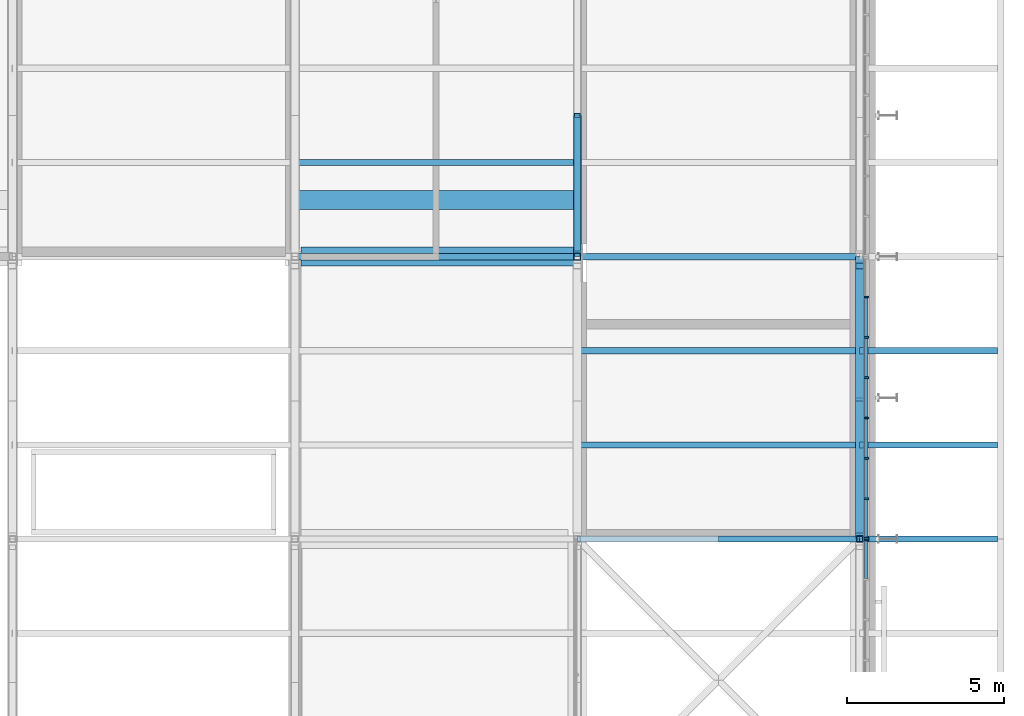
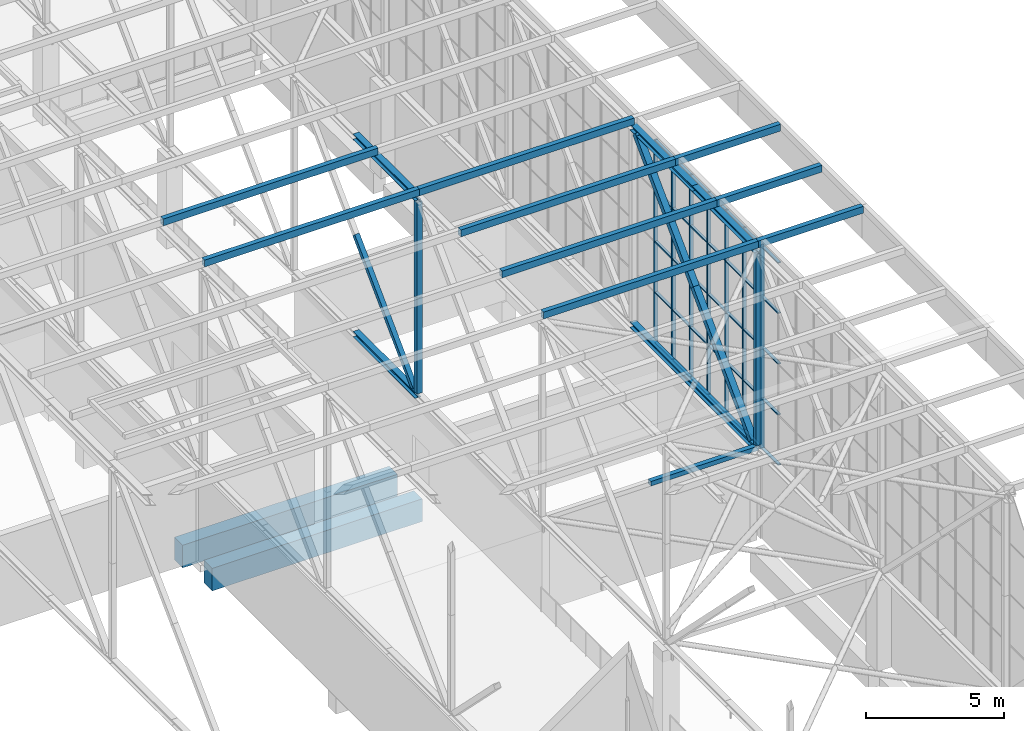
# One storey, part 102 of 646: 66 members, 2 beams, 2 elements without a shape of their own.
"""IFC4 building model written with IfcOpenShell, lengths in metres."""

from ifc_helpers import new_model, si_unit, direction, frame, origin, origin_2d, place, context, subcontext, project, spatial, rectangle, hollow_rectangle, i_section, extrude, material, material_profile, profile_set, type_object, element, aggregate, save


model = new_model("IFC4")

# Units and contexts
model_context = context("Model", 3, precision=1e-05, world=origin(), true_north=direction((0.0, 1.0)))
body_context = subcontext(model_context, "Body", "Model", "MODEL_VIEW")
ifc_project = project(units=[si_unit("LENGTHUNIT", "METRE"), si_unit("AREAUNIT", "SQUARE_METRE"), si_unit("VOLUMEUNIT", "CUBIC_METRE"), si_unit("PLANEANGLEUNIT", "RADIAN"), si_unit("MASSUNIT", "GRAM", prefix="KILO")], contexts=[model_context])

# Site, building, storey
site_placement = place(None, origin())
site = spatial("IfcSite", under=ifc_project, at=site_placement, CompositionType="ELEMENT")
building_placement = place(site_placement, origin())
building = spatial("IfcBuilding", under=site, at=building_placement, Name="Silverbay Arena", CompositionType="ELEMENT")
storey_placement = place(building_placement, frame((0.0, 0.0, 33.5)))
storey = spatial("IfcBuildingStorey", under=building, at=storey_placement, Name="L05", CompositionType="ELEMENT", Elevation=33.5)

# Member
ifc_material_1 = material(Name="Steel S355", Category="steel")
ifc_material_profile_1 = material_profile(ifc_material_1, hollow_rectangle(XDim=0.199951171875, YDim=0.199951171875, WallThickness=0.008056640625, at=origin_2d()), Name="SHS 200x200x8")
ifc_profile_set_1 = profile_set([ifc_material_profile_1], Name="Steel S355")
member_type_1 = type_object("IfcMemberType", Name="Bracing strut SHS 200x200x8", PredefinedType="STRUT", material=ifc_profile_set_1)
member_1_placement = place(storey_placement, frame((202.5, 90.0, 4.126953125), z_axis=(1.0, 0.0, 0.0), x_axis=(0.0, 1.0, 0.0)))
element("IfcMember", 1, at=member_1_placement, inside=storey, type_object=member_type_1, Name="ROOF BRACING strut 23-24 line 10b", PredefinedType="STRUT", context=body_context, shape_type="SweptSolid", body=[
    extrude(hollow_rectangle(XDim=0.199951171875, YDim=0.199951171875, WallThickness=0.008056640625, at=origin_2d()), origin(), (0.0, 0.0, 1.0), 4.5),
])

# Curtain wall, member
ifc_material_2 = material(Name="Aluminium framed glazing", Category="aluminium")
curtain_wall_type = type_object("IfcCurtainWallType", Name="Curtain wall clerestory 9000 x 9000", PredefinedType="NOTDEFINED", material=ifc_material_2)
curtain_wall_1_placement = place(storey_placement, origin())
curtain_wall_1 = element("IfcCurtainWall", 2, at=curtain_wall_1_placement, inside=storey, type_object=curtain_wall_type, Name="ROOF GABLE CLERESTORY CURTAIN WALL east bay 09", PredefinedType="NOTDEFINED")
ifc_material_3 = material(Name="Aluminium", Category="aluminium")
ifc_material_profile_2 = material_profile(ifc_material_3, rectangle(XDim=0.159912109375, YDim=0.06005859375, at=origin_2d()), Name="Mullion 60 x 160")
ifc_profile_set_2 = profile_set([ifc_material_profile_2], Name="Aluminium")
member_type_2 = type_object("IfcMemberType", Name="Mullion 60 x 160", PredefinedType="MULLION", material=ifc_profile_set_2)
member_2_placement = place(storey_placement, frame((207.2099609375, 89.969970703125, 4.0), z_axis=(0.0, 0.0, 1.0), x_axis=(-1.0, 0.0, 0.0)))
member_2 = element("IfcMember", 3, at=member_2_placement, type_object=member_type_2, Name="CW60 mullion 8", PredefinedType="MULLION", context=body_context, shape_type="SweptSolid", body=[
    extrude(rectangle(XDim=0.159912109375, YDim=0.06005859375, at=origin_2d()), origin(), (0.0, 0.0, 1.0), 9.0),
])

# Curtain wall, members
curtain_wall_2_placement = place(storey_placement, origin())
curtain_wall_2 = element("IfcCurtainWall", 4, at=curtain_wall_2_placement, inside=storey, type_object=curtain_wall_type, Name="ROOF GABLE CLERESTORY CURTAIN WALL east bay 10", PredefinedType="NOTDEFINED")
member_3_placement = place(storey_placement, frame((207.2099609375, 90.030029296875, 4.0), z_axis=(0.0, 0.0, 1.0), x_axis=(-1.0, 0.0, 0.0)))
member_3 = element("IfcMember", 5, at=member_3_placement, type_object=member_type_2, Name="CW60 mullion 1", PredefinedType="MULLION", context=body_context, shape_type="SweptSolid", body=[
    extrude(rectangle(XDim=0.159912109375, YDim=0.06005859375, at=origin_2d()), origin(), (0.0, 0.0, 1.0), 9.0),
])
member_4_placement = place(storey_placement, frame((207.2099609375, 91.28564453125, 4.0), z_axis=(0.0, 0.0, 1.0), x_axis=(-1.0, 0.0, 0.0)))
member_4 = element("IfcMember", 6, at=member_4_placement, type_object=member_type_2, Name="CW60 mullion 2", PredefinedType="MULLION", context=body_context, shape_type="SweptSolid", body=[
    extrude(rectangle(XDim=0.159912109375, YDim=0.06005859375, at=origin_2d()), origin(), (0.0, 0.0, 1.0), 9.0),
])
member_5_placement = place(storey_placement, frame((207.2099609375, 92.571533203125, 4.0), z_axis=(0.0, 0.0, 1.0), x_axis=(-1.0, 0.0, 0.0)))
member_5 = element("IfcMember", 7, at=member_5_placement, type_object=member_type_2, Name="CW60 mullion 3", PredefinedType="MULLION", context=body_context, shape_type="SweptSolid", body=[
    extrude(rectangle(XDim=0.159912109375, YDim=0.06005859375, at=origin_2d()), origin(), (0.0, 0.0, 1.0), 9.0),
])
member_6_placement = place(storey_placement, frame((207.2099609375, 93.857177734375, 4.0), z_axis=(0.0, 0.0, 1.0), x_axis=(-1.0, 0.0, 0.0)))
member_6 = element("IfcMember", 8, at=member_6_placement, type_object=member_type_2, Name="CW60 mullion 4", PredefinedType="MULLION", context=body_context, shape_type="SweptSolid", body=[
    extrude(rectangle(XDim=0.159912109375, YDim=0.06005859375, at=origin_2d()), origin(), (0.0, 0.0, 1.0), 9.0),
])
member_7_placement = place(storey_placement, frame((207.2099609375, 95.142822265625, 4.0), z_axis=(0.0, 0.0, 1.0), x_axis=(-1.0, 0.0, 0.0)))
member_7 = element("IfcMember", 9, at=member_7_placement, type_object=member_type_2, Name="CW60 mullion 5", PredefinedType="MULLION", context=body_context, shape_type="SweptSolid", body=[
    extrude(rectangle(XDim=0.159912109375, YDim=0.06005859375, at=origin_2d()), origin(), (0.0, 0.0, 1.0), 9.0),
])
member_8_placement = place(storey_placement, frame((207.2099609375, 96.428466796875, 4.0), z_axis=(0.0, 0.0, 1.0), x_axis=(-1.0, 0.0, 0.0)))
member_8 = element("IfcMember", 10, at=member_8_placement, type_object=member_type_2, Name="CW60 mullion 6", PredefinedType="MULLION", context=body_context, shape_type="SweptSolid", body=[
    extrude(rectangle(XDim=0.159912109375, YDim=0.06005859375, at=origin_2d()), origin(), (0.0, 0.0, 1.0), 9.0),
])
member_9_placement = place(storey_placement, frame((207.2099609375, 97.71435546875, 4.0), z_axis=(0.0, 0.0, 1.0), x_axis=(-1.0, 0.0, 0.0)))
member_9 = element("IfcMember", 11, at=member_9_placement, type_object=member_type_2, Name="CW60 mullion 7", PredefinedType="MULLION", context=body_context, shape_type="SweptSolid", body=[
    extrude(rectangle(XDim=0.159912109375, YDim=0.06005859375, at=origin_2d()), origin(), (0.0, 0.0, 1.0), 9.0),
])

# Members
ifc_material_4 = material(Name="Steel S355", Category="steel")
ifc_material_profile_3 = material_profile(ifc_material_4, hollow_rectangle(XDim=0.199951171875, YDim=0.300048828125, WallThickness=0.00634765625, at=origin_2d()), Name="RHS 300x200x6.3")
ifc_profile_set_3 = profile_set([ifc_material_profile_3], Name="Steel S355")
member_type_3 = type_object("IfcMemberType", Name="Purlin RHS 300x200x6.3", PredefinedType="PURLIN", material=ifc_profile_set_3)
for number, where, z_axis, x_axis, name in (
    (12, (189.0, 99.0, 13.14990234375), (1.0, 0.0, 0.0), (0.0, 1.0, 0.0), "ROOF PURLIN 22-23 line 31"),
    (13, (189.0, 102.0, 13.14990234375), (1.0, 0.0, 0.0), (0.0, 1.0, 0.0), "ROOF PURLIN 22-23 line 32"),
):
    element("IfcMember", number, at=place(storey_placement, frame(where, z_axis=z_axis, x_axis=x_axis)), inside=storey, type_object=member_type_3, Name=name, PredefinedType="PURLIN", context=body_context, shape_type="SweptSolid", body=[
        extrude(hollow_rectangle(XDim=0.199951171875, YDim=0.300048828125, WallThickness=0.00634765625, at=origin_2d()), origin(), (0.0, 0.0, 1.0), 9.0),
    ])
ifc_material_5 = material(Name="Steel S355", Category="steel")
ifc_material_profile_4 = material_profile(ifc_material_5, hollow_rectangle(XDim=0.199951171875, YDim=0.300048828125, WallThickness=0.008056640625, at=origin_2d()), Name="RHS 300x200x8")
ifc_profile_set_4 = profile_set([ifc_material_profile_4], Name="Steel S355")
member_type_4 = type_object("IfcMemberType", Name="Purlin RHS 300x200x8", PredefinedType="PURLIN", material=ifc_profile_set_4)
for number, where, z_axis, x_axis, name in (
    (14, (198.0, 90.0, 13.14990234375), (1.0, 0.0, 0.0), (0.0, 1.0, 0.0), "ROOF PURLIN 23-24 line 28"),
    (15, (198.0, 93.0, 13.14990234375), (1.0, 0.0, 0.0), (0.0, 1.0, 0.0), "ROOF PURLIN 23-24 line 29"),
    (16, (198.0, 96.0, 13.14990234375), (1.0, 0.0, 0.0), (0.0, 1.0, 0.0), "ROOF PURLIN 23-24 line 30"),
    (17, (198.0, 99.0, 13.14990234375), (1.0, 0.0, 0.0), (0.0, 1.0, 0.0), "ROOF PURLIN 23-24 line 31"),
):
    element("IfcMember", number, at=place(storey_placement, frame(where, z_axis=z_axis, x_axis=x_axis)), inside=storey, type_object=member_type_4, Name=name, PredefinedType="PURLIN", context=body_context, shape_type="SweptSolid", body=[
        extrude(hollow_rectangle(XDim=0.199951171875, YDim=0.300048828125, WallThickness=0.008056640625, at=origin_2d()), origin(), (0.0, 0.0, 1.0), 9.0),
    ])
for number, where, z_axis, x_axis, name in (
    (18, (211.39990234375, 90.0, 13.14990234375), (-1.0, 0.0, 0.0), (0.0, -1.0, 0.0), "ROOF PURLIN east eave line 28"),
    (19, (211.39990234375, 93.0, 13.14990234375), (-1.0, 0.0, 0.0), (0.0, -1.0, 0.0), "ROOF PURLIN east eave line 29"),
    (20, (211.39990234375, 96.0, 13.14990234375), (-1.0, 0.0, 0.0), (0.0, -1.0, 0.0), "ROOF PURLIN east eave line 30"),
):
    element("IfcMember", number, at=place(storey_placement, frame(where, z_axis=z_axis, x_axis=x_axis)), inside=storey, type_object=member_type_4, Name=name, PredefinedType="PURLIN", context=body_context, shape_type="SweptSolid", body=[
        extrude(hollow_rectangle(XDim=0.199951171875, YDim=0.300048828125, WallThickness=0.008056640625, at=origin_2d()), origin(), (0.0, 0.0, 1.0), 4.39990234375),
    ])

# Beams
ifc_material_6 = material(Name="Concrete Grade C45", Category="concrete")
ifc_material_profile_5 = material_profile(ifc_material_6, rectangle(XDim=0.60009765625, YDim=1.0, at=origin_2d()), Name="RC 600x1000")
ifc_profile_set_5 = profile_set([ifc_material_profile_5], Name="Concrete Grade C45")
beam_type = type_object("IfcBeamType", Name="RC beam 600x1000", PredefinedType="BEAM", material=ifc_profile_set_5)
beam_1_placement = place(storey_placement, frame((189.199951171875, 99.0, -0.800048828125), z_axis=(1.0, 0.0, 0.0), x_axis=(0.0, 1.0, 0.0)))
element("IfcBeam", 21, at=beam_1_placement, inside=storey, type_object=beam_type, Name="Floor beam L05 042", PredefinedType="BEAM", context=body_context, shape_type="SweptSolid", body=[
    extrude(rectangle(XDim=0.60009765625, YDim=1.0, at=origin_2d()), origin(), (0.0, 0.0, 1.0), 8.800048828125),
])
beam_2_placement = place(storey_placement, frame((189.0, 100.800048828125, -0.800048828125), z_axis=(1.0, 0.0, 0.0), x_axis=(0.0, 1.0, 0.0)))
element("IfcBeam", 22, at=beam_2_placement, inside=storey, type_object=beam_type, Name="Floor beam L05 046", PredefinedType="BEAM", context=body_context, shape_type="SweptSolid", body=[
    extrude(rectangle(XDim=0.60009765625, YDim=1.0, at=origin_2d()), origin(), (0.0, 0.0, 1.0), 9.0),
])

# Members
ifc_material_7 = material(Name="Steel S355", Category="steel")
ifc_material_profile_6 = material_profile(ifc_material_7, i_section(OverallWidth=0.254638671875, OverallDepth=0.254150390625, WebThickness=0.008544921875, FlangeThickness=0.01416015625, at=origin_2d()), Name="UC 254x254x73")
ifc_profile_set_6 = profile_set([ifc_material_profile_6], Name="Steel S355")
member_type_5 = type_object("IfcMemberType", Name="Short-span bottom chord UC 254x254x73", PredefinedType="CHORD", material=ifc_profile_set_6)
for number, where, z_axis, x_axis, name in (
    (23, (198.0, 99.0, 4.126953125), (0.0, 1.0, 0.0), (-1.0, 0.0, 0.0), "ROOF TRUSS 23 bottom chord 11a"),
    (24, (207.0, 90.0, 4.126953125), (0.0, 1.0, 0.0), (-1.0, 0.0, 0.0), "ROOF TRUSS 24 bottom chord 10a"),
    (25, (207.0, 94.5, 4.126953125), (0.0, 1.0, 0.0), (-1.0, 0.0, 0.0), "ROOF TRUSS 24 bottom chord 10b"),
):
    element("IfcMember", number, at=place(storey_placement, frame(where, z_axis=z_axis, x_axis=x_axis)), inside=storey, type_object=member_type_5, Name=name, PredefinedType="CHORD", context=body_context, shape_type="SweptSolid", body=[
        extrude(i_section(OverallWidth=0.254638671875, OverallDepth=0.254150390625, WebThickness=0.008544921875, FlangeThickness=0.01416015625, at=origin_2d()), origin(), (0.0, 0.0, 1.0), 4.5),
    ])
ifc_material_8 = material(Name="Steel S355", Category="steel")
ifc_material_profile_7 = material_profile(ifc_material_8, i_section(OverallWidth=0.254638671875, OverallDepth=0.254150390625, WebThickness=0.008544921875, FlangeThickness=0.01416015625, at=origin_2d()), Name="UC 254x254x73")
ifc_profile_set_7 = profile_set([ifc_material_profile_7], Name="Steel S355")
member_type_6 = type_object("IfcMemberType", Name="Short-span top chord UC 254x254x73", PredefinedType="CHORD", material=ifc_profile_set_7)
for number, where, z_axis, x_axis, name in (
    (26, (198.0, 99.0, 12.873046875), (0.0, 1.0, 0.0), (-1.0, 0.0, 0.0), "ROOF TRUSS 23 top chord 11a"),
    (27, (207.0, 90.0, 12.873046875), (0.0, 1.0, 0.0), (-1.0, 0.0, 0.0), "ROOF TRUSS 24 top chord 10a"),
    (28, (207.0, 94.5, 12.873046875), (0.0, 1.0, 0.0), (-1.0, 0.0, 0.0), "ROOF TRUSS 24 top chord 10b"),
):
    element("IfcMember", number, at=place(storey_placement, frame(where, z_axis=z_axis, x_axis=x_axis)), inside=storey, type_object=member_type_6, Name=name, PredefinedType="CHORD", context=body_context, shape_type="SweptSolid", body=[
        extrude(i_section(OverallWidth=0.254638671875, OverallDepth=0.254150390625, WebThickness=0.008544921875, FlangeThickness=0.01416015625, at=origin_2d()), origin(), (0.0, 0.0, 1.0), 4.5),
    ])
ifc_material_9 = material(Name="Steel S355", Category="steel")
ifc_material_profile_8 = material_profile(ifc_material_9, hollow_rectangle(XDim=0.199951171875, YDim=0.199951171875, WallThickness=0.008056640625, at=origin_2d()), Name="SHS 200x200x8")
ifc_profile_set_8 = profile_set([ifc_material_profile_8], Name="Steel S355")
member_type_7 = type_object("IfcMemberType", Name="Short-span truss diagonal SHS 200x200x8", PredefinedType="BRACE", material=ifc_profile_set_8)
member_10_placement = place(storey_placement, frame((198.0, 103.5048828125, 8.5), z_axis=(0.0, -0.707391224876, -0.706822223029), x_axis=(1.0, 0.0, 0.0)))
element("IfcMember", 29, at=member_10_placement, inside=storey, type_object=member_type_7, Name="ROOF TRUSS 23 diagonal 11b", PredefinedType="BRACE", context=body_context, shape_type="SweptSolid", body=[
    extrude(hollow_rectangle(XDim=0.199951171875, YDim=0.199951171875, WallThickness=0.008056640625, at=origin_2d()), origin(), (0.0, 0.0, 1.0), 6.0068359375),
])
ifc_material_10 = material(Name="Steel S355", Category="steel")
ifc_material_profile_9 = material_profile(ifc_material_10, hollow_rectangle(XDim=0.260009765625, YDim=0.260009765625, WallThickness=0.010009765625, at=origin_2d()), Name="SHS 260x260x10")
ifc_profile_set_9 = profile_set([ifc_material_profile_9], Name="Steel S355")
member_type_8 = type_object("IfcMemberType", Name="Short-span truss diagonal SHS 260x260x10", PredefinedType="BRACE", material=ifc_profile_set_9)
for number, where, z_axis, x_axis, name in (
    (30, (207.0, 98.70068359375, 12.745849609375), (0.0, -0.703728402193, -0.710469095701), (1.0, 0.0, 0.0), "ROOF TRUSS 24 diagonal 10a"),
    (31, (207.0, 94.4951171875, 8.5), (0.0, -0.703728402193, -0.710469095701), (1.0, 0.0, 0.0), "ROOF TRUSS 24 diagonal 10b"),
):
    element("IfcMember", number, at=place(storey_placement, frame(where, z_axis=z_axis, x_axis=x_axis)), inside=storey, type_object=member_type_8, Name=name, PredefinedType="BRACE", context=body_context, shape_type="SweptSolid", body=[
        extrude(hollow_rectangle(XDim=0.260009765625, YDim=0.260009765625, WallThickness=0.010009765625, at=origin_2d()), origin(), (0.0, 0.0, 1.0), 5.97607421875),
    ])
ifc_material_11 = material(Name="Steel S355", Category="steel")
ifc_material_profile_10 = material_profile(ifc_material_11, hollow_rectangle(XDim=0.199951171875, YDim=0.199951171875, WallThickness=0.008056640625, at=origin_2d()), Name="SHS 200x200x8")
ifc_profile_set_10 = profile_set([ifc_material_profile_10], Name="Steel S355")
member_type_9 = type_object("IfcMemberType", Name="Short-span truss vertical SHS 200x200x8", PredefinedType="STRUT", material=ifc_profile_set_10)
for number, where, z_axis, x_axis, name in (
    (32, (207.0, 90.0, 4.254150390625), (0.0, 0.0, 1.0), (1.0, 0.0, 0.0), "ROOF TRUSS 24 vertical 10a"),
    (33, (207.0, 90.0, 8.5), (0.0, 0.0, 1.0), (1.0, 0.0, 0.0), "ROOF TRUSS 24 vertical 10b"),
):
    element("IfcMember", number, at=place(storey_placement, frame(where, z_axis=z_axis, x_axis=x_axis)), inside=storey, type_object=member_type_9, Name=name, PredefinedType="STRUT", context=body_context, shape_type="SweptSolid", body=[
        extrude(hollow_rectangle(XDim=0.199951171875, YDim=0.199951171875, WallThickness=0.008056640625, at=origin_2d()), origin(), (0.0, 0.0, 1.0), 4.245849609375),
    ])
ifc_material_12 = material(Name="Steel S355", Category="steel")
ifc_material_profile_11 = material_profile(ifc_material_12, hollow_rectangle(XDim=0.219970703125, YDim=0.219970703125, WallThickness=0.008056640625, at=origin_2d()), Name="SHS 220x220x8")
ifc_profile_set_11 = profile_set([ifc_material_profile_11], Name="Steel S355")
member_type_10 = type_object("IfcMemberType", Name="Short-span truss vertical SHS 220x220x8", PredefinedType="STRUT", material=ifc_profile_set_11)
for number, where, z_axis, x_axis, name in (
    (34, (198.0, 99.0, 4.254150390625), (0.0, 0.0, 1.0), (1.0, 0.0, 0.0), "ROOF TRUSS 23 vertical 11a"),
    (35, (198.0, 99.0, 8.5), (0.0, 0.0, 1.0), (1.0, 0.0, 0.0), "ROOF TRUSS 23 vertical 11b"),
):
    element("IfcMember", number, at=place(storey_placement, frame(where, z_axis=z_axis, x_axis=x_axis)), inside=storey, type_object=member_type_10, Name=name, PredefinedType="STRUT", context=body_context, shape_type="SweptSolid", body=[
        extrude(hollow_rectangle(XDim=0.219970703125, YDim=0.219970703125, WallThickness=0.008056640625, at=origin_2d()), origin(), (0.0, 0.0, 1.0), 4.245849609375),
    ])

# Member
ifc_material_13 = material(Name="Aluminium", Category="aluminium")
ifc_material_profile_12 = material_profile(ifc_material_13, rectangle(XDim=0.1201171875, YDim=0.050048828125, at=origin_2d()), Name="Transom 50 x 120")
ifc_profile_set_12 = profile_set([ifc_material_profile_12], Name="Aluminium")
member_type_11 = type_object("IfcMemberType", Name="Transom 50 x 120", PredefinedType="USERDEFINED", material=ifc_profile_set_12)
member_11_placement = place(storey_placement, frame((207.2099609375, 88.744384765625, 4.02490234375), z_axis=(0.0, 1.0, 0.0), x_axis=(-1.0, 0.0, 0.0)))
member_11 = element("IfcMember", 36, at=member_11_placement, type_object=member_type_11, Name="CW60 transom 7.1", ObjectType="TRANSOM", PredefinedType="USERDEFINED", context=body_context, shape_type="SweptSolid", body=[
    extrude(rectangle(XDim=0.1201171875, YDim=0.050048828125, at=origin_2d()), origin(), (0.0, 0.0, 1.0), 1.195556640625),
])

member_12_placement = place(storey_placement, frame((207.2099609375, 88.744384765625, 6.25), z_axis=(0.0, 1.0, 0.0), x_axis=(-1.0, 0.0, 0.0)))
member_12 = element("IfcMember", 37, at=member_12_placement, type_object=member_type_11, Name="CW60 transom 7.2", ObjectType="TRANSOM", PredefinedType="USERDEFINED", context=body_context, shape_type="SweptSolid", body=[
    extrude(rectangle(XDim=0.1201171875, YDim=0.050048828125, at=origin_2d()), origin(), (0.0, 0.0, 1.0), 1.195556640625),
])

member_13_placement = place(storey_placement, frame((207.2099609375, 88.744384765625, 8.5), z_axis=(0.0, 1.0, 0.0), x_axis=(-1.0, 0.0, 0.0)))
member_13 = element("IfcMember", 38, at=member_13_placement, type_object=member_type_11, Name="CW60 transom 7.3", ObjectType="TRANSOM", PredefinedType="USERDEFINED", context=body_context, shape_type="SweptSolid", body=[
    extrude(rectangle(XDim=0.1201171875, YDim=0.050048828125, at=origin_2d()), origin(), (0.0, 0.0, 1.0), 1.195556640625),
])

member_14_placement = place(storey_placement, frame((207.2099609375, 88.744384765625, 10.75), z_axis=(0.0, 1.0, 0.0), x_axis=(-1.0, 0.0, 0.0)))
member_14 = element("IfcMember", 39, at=member_14_placement, type_object=member_type_11, Name="CW60 transom 7.4", ObjectType="TRANSOM", PredefinedType="USERDEFINED", context=body_context, shape_type="SweptSolid", body=[
    extrude(rectangle(XDim=0.1201171875, YDim=0.050048828125, at=origin_2d()), origin(), (0.0, 0.0, 1.0), 1.195556640625),
])

member_15_placement = place(storey_placement, frame((207.2099609375, 88.744384765625, 12.97509765625), z_axis=(0.0, 1.0, 0.0), x_axis=(-1.0, 0.0, 0.0)))
member_15 = element("IfcMember", 40, at=member_15_placement, type_object=member_type_11, Name="CW60 transom 7.5", ObjectType="TRANSOM", PredefinedType="USERDEFINED", context=body_context, shape_type="SweptSolid", body=[
    extrude(rectangle(XDim=0.1201171875, YDim=0.050048828125, at=origin_2d()), origin(), (0.0, 0.0, 1.0), 1.195556640625),
])

aggregate(curtain_wall_1, [member_2, member_11, member_12, member_13, member_14, member_15])

member_16_placement = place(storey_placement, frame((207.2099609375, 90.06005859375, 4.02490234375), z_axis=(0.0, 1.0, 0.0), x_axis=(-1.0, 0.0, 0.0)))
member_16 = element("IfcMember", 41, at=member_16_placement, type_object=member_type_11, Name="CW60 transom 1.1", ObjectType="TRANSOM", PredefinedType="USERDEFINED", context=body_context, shape_type="SweptSolid", body=[
    extrude(rectangle(XDim=0.1201171875, YDim=0.050048828125, at=origin_2d()), origin(), (0.0, 0.0, 1.0), 1.195556640625),
])

member_17_placement = place(storey_placement, frame((207.2099609375, 90.06005859375, 6.25), z_axis=(0.0, 1.0, 0.0), x_axis=(-1.0, 0.0, 0.0)))
member_17 = element("IfcMember", 42, at=member_17_placement, type_object=member_type_11, Name="CW60 transom 1.2", ObjectType="TRANSOM", PredefinedType="USERDEFINED", context=body_context, shape_type="SweptSolid", body=[
    extrude(rectangle(XDim=0.1201171875, YDim=0.050048828125, at=origin_2d()), origin(), (0.0, 0.0, 1.0), 1.195556640625),
])

member_18_placement = place(storey_placement, frame((207.2099609375, 90.06005859375, 8.5), z_axis=(0.0, 1.0, 0.0), x_axis=(-1.0, 0.0, 0.0)))
member_18 = element("IfcMember", 43, at=member_18_placement, type_object=member_type_11, Name="CW60 transom 1.3", ObjectType="TRANSOM", PredefinedType="USERDEFINED", context=body_context, shape_type="SweptSolid", body=[
    extrude(rectangle(XDim=0.1201171875, YDim=0.050048828125, at=origin_2d()), origin(), (0.0, 0.0, 1.0), 1.195556640625),
])

member_19_placement = place(storey_placement, frame((207.2099609375, 90.06005859375, 10.75), z_axis=(0.0, 1.0, 0.0), x_axis=(-1.0, 0.0, 0.0)))
member_19 = element("IfcMember", 44, at=member_19_placement, type_object=member_type_11, Name="CW60 transom 1.4", ObjectType="TRANSOM", PredefinedType="USERDEFINED", context=body_context, shape_type="SweptSolid", body=[
    extrude(rectangle(XDim=0.1201171875, YDim=0.050048828125, at=origin_2d()), origin(), (0.0, 0.0, 1.0), 1.195556640625),
])

member_20_placement = place(storey_placement, frame((207.2099609375, 90.06005859375, 12.97509765625), z_axis=(0.0, 1.0, 0.0), x_axis=(-1.0, 0.0, 0.0)))
member_20 = element("IfcMember", 45, at=member_20_placement, type_object=member_type_11, Name="CW60 transom 1.5", ObjectType="TRANSOM", PredefinedType="USERDEFINED", context=body_context, shape_type="SweptSolid", body=[
    extrude(rectangle(XDim=0.1201171875, YDim=0.050048828125, at=origin_2d()), origin(), (0.0, 0.0, 1.0), 1.195556640625),
])

member_21_placement = place(storey_placement, frame((207.2099609375, 91.315673828125, 4.02490234375), z_axis=(0.0, 1.0, 0.0), x_axis=(-1.0, 0.0, 0.0)))
member_21 = element("IfcMember", 46, at=member_21_placement, type_object=member_type_11, Name="CW60 transom 2.1", ObjectType="TRANSOM", PredefinedType="USERDEFINED", context=body_context, shape_type="SweptSolid", body=[
    extrude(rectangle(XDim=0.1201171875, YDim=0.050048828125, at=origin_2d()), origin(), (0.0, 0.0, 1.0), 1.225830078125),
])

member_22_placement = place(storey_placement, frame((207.2099609375, 91.315673828125, 6.25), z_axis=(0.0, 1.0, 0.0), x_axis=(-1.0, 0.0, 0.0)))
member_22 = element("IfcMember", 47, at=member_22_placement, type_object=member_type_11, Name="CW60 transom 2.2", ObjectType="TRANSOM", PredefinedType="USERDEFINED", context=body_context, shape_type="SweptSolid", body=[
    extrude(rectangle(XDim=0.1201171875, YDim=0.050048828125, at=origin_2d()), origin(), (0.0, 0.0, 1.0), 1.225830078125),
])

member_23_placement = place(storey_placement, frame((207.2099609375, 91.315673828125, 8.5), z_axis=(0.0, 1.0, 0.0), x_axis=(-1.0, 0.0, 0.0)))
member_23 = element("IfcMember", 48, at=member_23_placement, type_object=member_type_11, Name="CW60 transom 2.3", ObjectType="TRANSOM", PredefinedType="USERDEFINED", context=body_context, shape_type="SweptSolid", body=[
    extrude(rectangle(XDim=0.1201171875, YDim=0.050048828125, at=origin_2d()), origin(), (0.0, 0.0, 1.0), 1.225830078125),
])

member_24_placement = place(storey_placement, frame((207.2099609375, 91.315673828125, 10.75), z_axis=(0.0, 1.0, 0.0), x_axis=(-1.0, 0.0, 0.0)))
member_24 = element("IfcMember", 49, at=member_24_placement, type_object=member_type_11, Name="CW60 transom 2.4", ObjectType="TRANSOM", PredefinedType="USERDEFINED", context=body_context, shape_type="SweptSolid", body=[
    extrude(rectangle(XDim=0.1201171875, YDim=0.050048828125, at=origin_2d()), origin(), (0.0, 0.0, 1.0), 1.225830078125),
])

member_25_placement = place(storey_placement, frame((207.2099609375, 91.315673828125, 12.97509765625), z_axis=(0.0, 1.0, 0.0), x_axis=(-1.0, 0.0, 0.0)))
member_25 = element("IfcMember", 50, at=member_25_placement, type_object=member_type_11, Name="CW60 transom 2.5", ObjectType="TRANSOM", PredefinedType="USERDEFINED", context=body_context, shape_type="SweptSolid", body=[
    extrude(rectangle(XDim=0.1201171875, YDim=0.050048828125, at=origin_2d()), origin(), (0.0, 0.0, 1.0), 1.225830078125),
])

member_26_placement = place(storey_placement, frame((207.2099609375, 92.601318359375, 4.02490234375), z_axis=(0.0, 1.0, 0.0), x_axis=(-1.0, 0.0, 0.0)))
member_26 = element("IfcMember", 51, at=member_26_placement, type_object=member_type_11, Name="CW60 transom 3.1", ObjectType="TRANSOM", PredefinedType="USERDEFINED", context=body_context, shape_type="SweptSolid", body=[
    extrude(rectangle(XDim=0.1201171875, YDim=0.050048828125, at=origin_2d()), origin(), (0.0, 0.0, 1.0), 1.225830078125),
])

member_27_placement = place(storey_placement, frame((207.2099609375, 92.601318359375, 6.25), z_axis=(0.0, 1.0, 0.0), x_axis=(-1.0, 0.0, 0.0)))
member_27 = element("IfcMember", 52, at=member_27_placement, type_object=member_type_11, Name="CW60 transom 3.2", ObjectType="TRANSOM", PredefinedType="USERDEFINED", context=body_context, shape_type="SweptSolid", body=[
    extrude(rectangle(XDim=0.1201171875, YDim=0.050048828125, at=origin_2d()), origin(), (0.0, 0.0, 1.0), 1.225830078125),
])

member_28_placement = place(storey_placement, frame((207.2099609375, 92.601318359375, 8.5), z_axis=(0.0, 1.0, 0.0), x_axis=(-1.0, 0.0, 0.0)))
member_28 = element("IfcMember", 53, at=member_28_placement, type_object=member_type_11, Name="CW60 transom 3.3", ObjectType="TRANSOM", PredefinedType="USERDEFINED", context=body_context, shape_type="SweptSolid", body=[
    extrude(rectangle(XDim=0.1201171875, YDim=0.050048828125, at=origin_2d()), origin(), (0.0, 0.0, 1.0), 1.225830078125),
])

member_29_placement = place(storey_placement, frame((207.2099609375, 92.601318359375, 10.75), z_axis=(0.0, 1.0, 0.0), x_axis=(-1.0, 0.0, 0.0)))
member_29 = element("IfcMember", 54, at=member_29_placement, type_object=member_type_11, Name="CW60 transom 3.4", ObjectType="TRANSOM", PredefinedType="USERDEFINED", context=body_context, shape_type="SweptSolid", body=[
    extrude(rectangle(XDim=0.1201171875, YDim=0.050048828125, at=origin_2d()), origin(), (0.0, 0.0, 1.0), 1.225830078125),
])

member_30_placement = place(storey_placement, frame((207.2099609375, 92.601318359375, 12.97509765625), z_axis=(0.0, 1.0, 0.0), x_axis=(-1.0, 0.0, 0.0)))
member_30 = element("IfcMember", 55, at=member_30_placement, type_object=member_type_11, Name="CW60 transom 3.5", ObjectType="TRANSOM", PredefinedType="USERDEFINED", context=body_context, shape_type="SweptSolid", body=[
    extrude(rectangle(XDim=0.1201171875, YDim=0.050048828125, at=origin_2d()), origin(), (0.0, 0.0, 1.0), 1.225830078125),
])

member_31_placement = place(storey_placement, frame((207.2099609375, 93.88720703125, 4.02490234375), z_axis=(0.0, 1.0, 0.0), x_axis=(-1.0, 0.0, 0.0)))
member_31 = element("IfcMember", 56, at=member_31_placement, type_object=member_type_11, Name="CW60 transom 4.1", ObjectType="TRANSOM", PredefinedType="USERDEFINED", context=body_context, shape_type="SweptSolid", body=[
    extrude(rectangle(XDim=0.1201171875, YDim=0.050048828125, at=origin_2d()), origin(), (0.0, 0.0, 1.0), 1.2255859375),
])

member_32_placement = place(storey_placement, frame((207.2099609375, 93.88720703125, 6.25), z_axis=(0.0, 1.0, 0.0), x_axis=(-1.0, 0.0, 0.0)))
member_32 = element("IfcMember", 57, at=member_32_placement, type_object=member_type_11, Name="CW60 transom 4.2", ObjectType="TRANSOM", PredefinedType="USERDEFINED", context=body_context, shape_type="SweptSolid", body=[
    extrude(rectangle(XDim=0.1201171875, YDim=0.050048828125, at=origin_2d()), origin(), (0.0, 0.0, 1.0), 1.2255859375),
])

member_33_placement = place(storey_placement, frame((207.2099609375, 93.88720703125, 8.5), z_axis=(0.0, 1.0, 0.0), x_axis=(-1.0, 0.0, 0.0)))
member_33 = element("IfcMember", 58, at=member_33_placement, type_object=member_type_11, Name="CW60 transom 4.3", ObjectType="TRANSOM", PredefinedType="USERDEFINED", context=body_context, shape_type="SweptSolid", body=[
    extrude(rectangle(XDim=0.1201171875, YDim=0.050048828125, at=origin_2d()), origin(), (0.0, 0.0, 1.0), 1.2255859375),
])

member_34_placement = place(storey_placement, frame((207.2099609375, 93.88720703125, 10.75), z_axis=(0.0, 1.0, 0.0), x_axis=(-1.0, 0.0, 0.0)))
member_34 = element("IfcMember", 59, at=member_34_placement, type_object=member_type_11, Name="CW60 transom 4.4", ObjectType="TRANSOM", PredefinedType="USERDEFINED", context=body_context, shape_type="SweptSolid", body=[
    extrude(rectangle(XDim=0.1201171875, YDim=0.050048828125, at=origin_2d()), origin(), (0.0, 0.0, 1.0), 1.2255859375),
])

member_35_placement = place(storey_placement, frame((207.2099609375, 93.88720703125, 12.97509765625), z_axis=(0.0, 1.0, 0.0), x_axis=(-1.0, 0.0, 0.0)))
member_35 = element("IfcMember", 60, at=member_35_placement, type_object=member_type_11, Name="CW60 transom 4.5", ObjectType="TRANSOM", PredefinedType="USERDEFINED", context=body_context, shape_type="SweptSolid", body=[
    extrude(rectangle(XDim=0.1201171875, YDim=0.050048828125, at=origin_2d()), origin(), (0.0, 0.0, 1.0), 1.2255859375),
])

member_36_placement = place(storey_placement, frame((207.2099609375, 95.1728515625, 4.02490234375), z_axis=(0.0, 1.0, 0.0), x_axis=(-1.0, 0.0, 0.0)))
member_36 = element("IfcMember", 61, at=member_36_placement, type_object=member_type_11, Name="CW60 transom 5.1", ObjectType="TRANSOM", PredefinedType="USERDEFINED", context=body_context, shape_type="SweptSolid", body=[
    extrude(rectangle(XDim=0.1201171875, YDim=0.050048828125, at=origin_2d()), origin(), (0.0, 0.0, 1.0), 1.225830078125),
])

member_37_placement = place(storey_placement, frame((207.2099609375, 95.1728515625, 6.25), z_axis=(0.0, 1.0, 0.0), x_axis=(-1.0, 0.0, 0.0)))
member_37 = element("IfcMember", 62, at=member_37_placement, type_object=member_type_11, Name="CW60 transom 5.2", ObjectType="TRANSOM", PredefinedType="USERDEFINED", context=body_context, shape_type="SweptSolid", body=[
    extrude(rectangle(XDim=0.1201171875, YDim=0.050048828125, at=origin_2d()), origin(), (0.0, 0.0, 1.0), 1.225830078125),
])

member_38_placement = place(storey_placement, frame((207.2099609375, 95.1728515625, 8.5), z_axis=(0.0, 1.0, 0.0), x_axis=(-1.0, 0.0, 0.0)))
member_38 = element("IfcMember", 63, at=member_38_placement, type_object=member_type_11, Name="CW60 transom 5.3", ObjectType="TRANSOM", PredefinedType="USERDEFINED", context=body_context, shape_type="SweptSolid", body=[
    extrude(rectangle(XDim=0.1201171875, YDim=0.050048828125, at=origin_2d()), origin(), (0.0, 0.0, 1.0), 1.225830078125),
])

member_39_placement = place(storey_placement, frame((207.2099609375, 95.1728515625, 10.75), z_axis=(0.0, 1.0, 0.0), x_axis=(-1.0, 0.0, 0.0)))
member_39 = element("IfcMember", 64, at=member_39_placement, type_object=member_type_11, Name="CW60 transom 5.4", ObjectType="TRANSOM", PredefinedType="USERDEFINED", context=body_context, shape_type="SweptSolid", body=[
    extrude(rectangle(XDim=0.1201171875, YDim=0.050048828125, at=origin_2d()), origin(), (0.0, 0.0, 1.0), 1.225830078125),
])

member_40_placement = place(storey_placement, frame((207.2099609375, 95.1728515625, 12.97509765625), z_axis=(0.0, 1.0, 0.0), x_axis=(-1.0, 0.0, 0.0)))
member_40 = element("IfcMember", 65, at=member_40_placement, type_object=member_type_11, Name="CW60 transom 5.5", ObjectType="TRANSOM", PredefinedType="USERDEFINED", context=body_context, shape_type="SweptSolid", body=[
    extrude(rectangle(XDim=0.1201171875, YDim=0.050048828125, at=origin_2d()), origin(), (0.0, 0.0, 1.0), 1.225830078125),
])

member_41_placement = place(storey_placement, frame((207.2099609375, 96.45849609375, 4.02490234375), z_axis=(0.0, 1.0, 0.0), x_axis=(-1.0, 0.0, 0.0)))
member_41 = element("IfcMember", 66, at=member_41_placement, type_object=member_type_11, Name="CW60 transom 6.1", ObjectType="TRANSOM", PredefinedType="USERDEFINED", context=body_context, shape_type="SweptSolid", body=[
    extrude(rectangle(XDim=0.1201171875, YDim=0.050048828125, at=origin_2d()), origin(), (0.0, 0.0, 1.0), 1.225830078125),
])

member_42_placement = place(storey_placement, frame((207.2099609375, 96.45849609375, 6.25), z_axis=(0.0, 1.0, 0.0), x_axis=(-1.0, 0.0, 0.0)))
member_42 = element("IfcMember", 67, at=member_42_placement, type_object=member_type_11, Name="CW60 transom 6.2", ObjectType="TRANSOM", PredefinedType="USERDEFINED", context=body_context, shape_type="SweptSolid", body=[
    extrude(rectangle(XDim=0.1201171875, YDim=0.050048828125, at=origin_2d()), origin(), (0.0, 0.0, 1.0), 1.225830078125),
])

member_43_placement = place(storey_placement, frame((207.2099609375, 96.45849609375, 8.5), z_axis=(0.0, 1.0, 0.0), x_axis=(-1.0, 0.0, 0.0)))
member_43 = element("IfcMember", 68, at=member_43_placement, type_object=member_type_11, Name="CW60 transom 6.3", ObjectType="TRANSOM", PredefinedType="USERDEFINED", context=body_context, shape_type="SweptSolid", body=[
    extrude(rectangle(XDim=0.1201171875, YDim=0.050048828125, at=origin_2d()), origin(), (0.0, 0.0, 1.0), 1.225830078125),
])

member_44_placement = place(storey_placement, frame((207.2099609375, 96.45849609375, 10.75), z_axis=(0.0, 1.0, 0.0), x_axis=(-1.0, 0.0, 0.0)))
member_44 = element("IfcMember", 69, at=member_44_placement, type_object=member_type_11, Name="CW60 transom 6.4", ObjectType="TRANSOM", PredefinedType="USERDEFINED", context=body_context, shape_type="SweptSolid", body=[
    extrude(rectangle(XDim=0.1201171875, YDim=0.050048828125, at=origin_2d()), origin(), (0.0, 0.0, 1.0), 1.225830078125),
])

member_45_placement = place(storey_placement, frame((207.2099609375, 96.45849609375, 12.97509765625), z_axis=(0.0, 1.0, 0.0), x_axis=(-1.0, 0.0, 0.0)))
member_45 = element("IfcMember", 70, at=member_45_placement, type_object=member_type_11, Name="CW60 transom 6.5", ObjectType="TRANSOM", PredefinedType="USERDEFINED", context=body_context, shape_type="SweptSolid", body=[
    extrude(rectangle(XDim=0.1201171875, YDim=0.050048828125, at=origin_2d()), origin(), (0.0, 0.0, 1.0), 1.225830078125),
])

aggregate(curtain_wall_2, [member_3, member_4, member_5, member_6, member_7, member_8, member_9, member_16, member_17, member_18, member_19, member_20, member_21, member_22, member_23, member_24, member_25, member_26, member_27, member_28, member_29, member_30, member_31, member_32, member_33, member_34, member_35, member_36, member_37, member_38, member_39, member_40, member_41, member_42, member_43, member_44, member_45])

save(model, "model.ifc")
